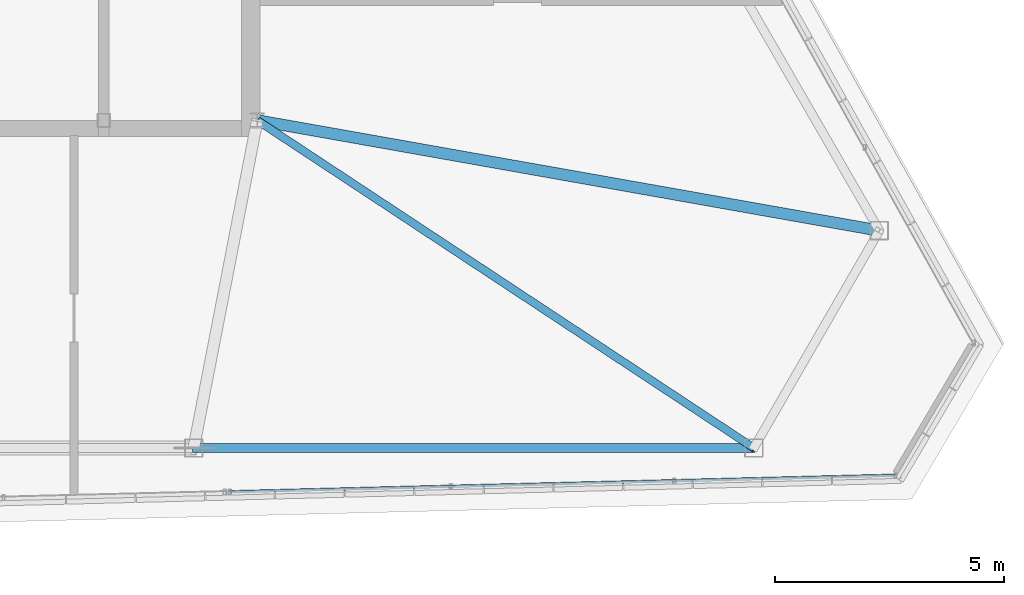
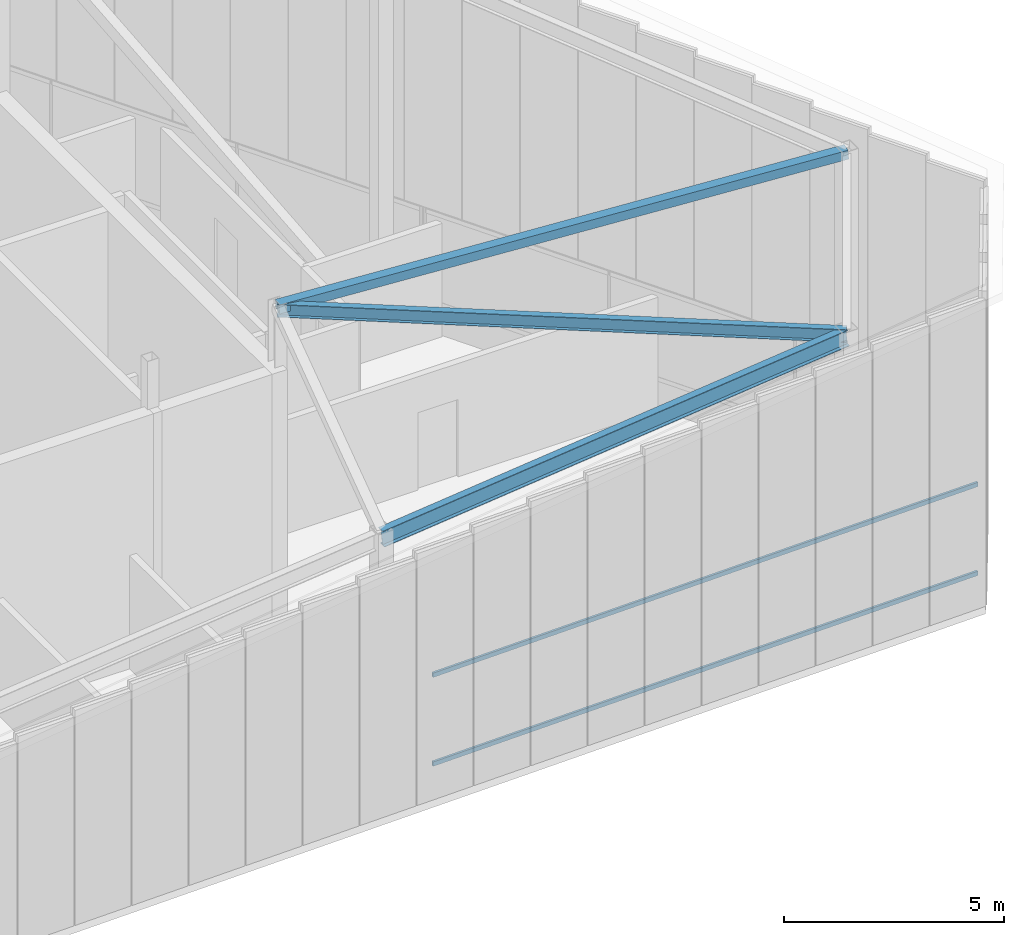
# One storey, part 21 of 50: 3 beams, 2 members, 1 element without a shape of its own.
"""IFC4 building model written with IfcOpenShell, lengths in metres."""

from ifc_helpers import new_model, si_unit, direction, frame, origin, origin_2d, place, context, subcontext, project, spatial, hollow_rectangle, i_section, extrude, source, transform, mapped, material, material_profile, profile_set, type_object, type_shapes, element, aggregate, save


model = new_model("IFC4")

# Units and contexts
model_context = context("Model", 3, precision=1e-05, world=origin(), true_north=direction((0.0, 1.0)))
body_context = subcontext(model_context, "Body", "Model", "MODEL_VIEW")
ifc_project = project(units=[si_unit("LENGTHUNIT", "METRE"), si_unit("AREAUNIT", "SQUARE_METRE"), si_unit("VOLUMEUNIT", "CUBIC_METRE"), si_unit("PLANEANGLEUNIT", "RADIAN"), si_unit("MASSUNIT", "GRAM", prefix="KILO")], contexts=[model_context])

# Site, building, storey
site_placement = place(None, origin())
site = spatial("IfcSite", under=ifc_project, at=site_placement, CompositionType="ELEMENT")
building_placement = place(site_placement, origin())
building = spatial("IfcBuilding", under=site, at=building_placement, Name="Caelisora Broadcast Tower", CompositionType="ELEMENT")
storey_placement = place(building_placement, frame((0.0, 0.0, 303.39990234375)))
storey = spatial("IfcBuildingStorey", under=building, at=storey_placement, Name="L80", CompositionType="ELEMENT", Elevation=303.39990234375)

# Beams
ifc_material_1 = material(Name="Steel Grade 350 (AS/NZS 3679.1)", Category="steel")
ifc_material_profile_1 = material_profile(ifc_material_1, i_section(OverallWidth=0.19091796875, OverallDepth=0.46044921875, WebThickness=0.010009765625, FlangeThickness=0.01611328125, at=origin_2d()), Name="Steel Grade 350 (AS/NZS 3679.1)")
ifc_profile_set_1 = profile_set([ifc_material_profile_1], Name="Steel Grade 350 (AS/NZS 3679.1)")
beam_type_1 = type_object("IfcBeamType", Name="RB01", PredefinedType="USERDEFINED", material=ifc_profile_set_1)
shared_shape_1 = source(origin(), body_context, "Body", "SweptSolid", [
    extrude(i_section(OverallWidth=0.19091796875, OverallDepth=0.46044921875, WebThickness=0.010009765625, FlangeThickness=0.01611328125, at=origin_2d()), origin(), (0.0, 0.0, 1.0), 12.295654296875),
])
type_shapes(beam_type_1, [shared_shape_1])
beam_1_placement = place(storey_placement, frame((44.11279296875, 10.25, 6.835693359375), z_axis=(0.994273719402, 0.0, 0.106863328164), x_axis=(0.0, 1.0, 0.0)))
element("IfcBeam", 1, at=beam_1_placement, inside=storey, type_object=beam_type_1, Name="L80 beam RB01", ObjectType="RAFTER", PredefinedType="USERDEFINED", context=body_context, shape_type="MappedRepresentation", body=[
    mapped(shared_shape_1, transform((0.0, 0.0, 0.0), scale=1.0)),
])
ifc_material_profile_2 = material_profile(ifc_material_1, i_section(OverallWidth=0.172119140625, OverallDepth=0.358642578125, WebThickness=0.008056640625, FlangeThickness=0.012939453125, at=origin_2d()), Name="Steel Grade 350 (AS/NZS 3679.1)")
ifc_profile_set_2 = profile_set([ifc_material_profile_2], Name="Steel Grade 350 (AS/NZS 3679.1)")
beam_type_2 = type_object("IfcBeamType", Name="RB02", PredefinedType="USERDEFINED", material=ifc_profile_set_2)
shared_shape_2 = source(origin(), body_context, "Body", "SweptSolid", [
    extrude(i_section(OverallWidth=0.172119140625, OverallDepth=0.358642578125, WebThickness=0.008056640625, FlangeThickness=0.012939453125, at=origin_2d()), origin(), (0.0, 0.0, 1.0), 12.985107421875),
])
type_shapes(beam_type_2, [shared_shape_2])
beam_2_placement = place(storey_placement, frame((45.5, 17.39990234375, 8.36767578125), z_axis=(0.834657028137, -0.550622073886, -0.012766249681), x_axis=(0.550666948774, 0.834725051456, 0.0)))
element("IfcBeam", 2, at=beam_2_placement, inside=storey, type_object=beam_type_2, Name="L80 beam RB02", ObjectType="RAFTER", PredefinedType="USERDEFINED", context=body_context, shape_type="MappedRepresentation", body=[
    mapped(shared_shape_2, transform((0.0, 0.0, 0.0), scale=1.0)),
])
ifc_material_2 = material(Name="Steel Grade 350 (AS/NZS 1163 C350L0)", Category="steel")
ifc_material_profile_3 = material_profile(ifc_material_2, hollow_rectangle(XDim=0.25, YDim=0.25, WallThickness=0.010009765625, at=origin_2d()), Name="Steel Grade 350 (AS/NZS 1163 C350L0)")
ifc_profile_set_3 = profile_set([ifc_material_profile_3], Name="Steel Grade 350 (AS/NZS 1163 C350L0)")
beam_type_3 = type_object("IfcBeamType", Name="RB03", PredefinedType="USERDEFINED", material=ifc_profile_set_3)
shared_shape_3 = source(origin(), body_context, "Body", "SweptSolid", [
    extrude(hollow_rectangle(XDim=0.25, YDim=0.25, WallThickness=0.010009765625, at=origin_2d()), origin(), (0.0, 0.0, 1.0), 13.82568359375),
])
type_shapes(beam_type_3, [shared_shape_3])
beam_3_placement = place(storey_placement, frame((45.5, 17.39990234375, 8.421875), z_axis=(0.982013937606, -0.174043433296, 0.073195011264), x_axis=(0.174511534721, 0.984655129601, 0.0)))
element("IfcBeam", 3, at=beam_3_placement, inside=storey, type_object=beam_type_3, Name="L80 beam RB03", ObjectType="RAFTER", PredefinedType="USERDEFINED", context=body_context, shape_type="MappedRepresentation", body=[
    mapped(shared_shape_3, transform((0.0, 0.0, 0.0), scale=1.0)),
])

# Curtain wall, members
ifc_material_3 = material(Name="Unitised Aluminium Insulated Shadow-Box Spandrel Curtain Wall", Category="aluminium")
curtain_wall_type = type_object("IfcCurtainWallType", Name="CW-SP3", PredefinedType="NOTDEFINED", material=ifc_material_3)
curtain_wall_placement = place(storey_placement, origin())
curtain_wall = element("IfcCurtainWall", 4, at=curtain_wall_placement, inside=storey, type_object=curtain_wall_type, Name="L80 curtain wall CW-SP3", PredefinedType="NOTDEFINED")
ifc_material_4 = material(Name="Aluminium 6063-T6 Anodised Terracotta Bronze", Category="aluminium")
ifc_material_profile_4 = material_profile(ifc_material_4, hollow_rectangle(XDim=0.06005859375, YDim=0.1201171875, WallThickness=0.0029296875, at=origin_2d()), Name="Aluminium 6063-T6 Anodised Terracotta Bronze")
ifc_profile_set_4 = profile_set([ifc_material_profile_4], Name="Aluminium 6063-T6 Anodised Terracotta Bronze")
member_type = type_object("IfcMemberType", Name="CWT-03", PredefinedType="USERDEFINED", material=ifc_profile_set_4)
shared_shape_4 = source(origin(), body_context, "Body", "SweptSolid", [
    extrude(hollow_rectangle(XDim=0.06005859375, YDim=0.1201171875, WallThickness=0.0029296875, at=origin_2d()), origin(), (0.0, 0.0, 1.0), 14.53369140625),
])
type_shapes(member_type, [shared_shape_4])
member_1_placement = place(storey_placement, frame((59.427978515625, 9.65380859375, 0.85009765625), z_axis=(-0.999689657676, -0.024911610471, 0.0), x_axis=(0.024911610471, -0.999689657676, 0.0)))
member_1 = element("IfcMember", 5, at=member_1_placement, type_object=member_type, Name="L80-CW-B05 transom #1", ObjectType="TRANSOM", PredefinedType="USERDEFINED", context=body_context, shape_type="MappedRepresentation", body=[
    mapped(shared_shape_4, transform((0.0, 0.0, 0.0), scale=1.0)),
])
member_2_placement = place(storey_placement, frame((59.427978515625, 9.65380859375, 3.320068359375), z_axis=(-0.999689657676, -0.024911610471, 0.0), x_axis=(0.024911610471, -0.999689657676, 0.0)))
member_2 = element("IfcMember", 6, at=member_2_placement, type_object=member_type, Name="L80-CW-B05 transom #2", ObjectType="TRANSOM", PredefinedType="USERDEFINED", context=body_context, shape_type="MappedRepresentation", body=[
    mapped(shared_shape_4, transform((0.0, 0.0, 0.0), scale=1.0)),
])
aggregate(curtain_wall, [member_1, member_2])

save(model, "model.ifc")
